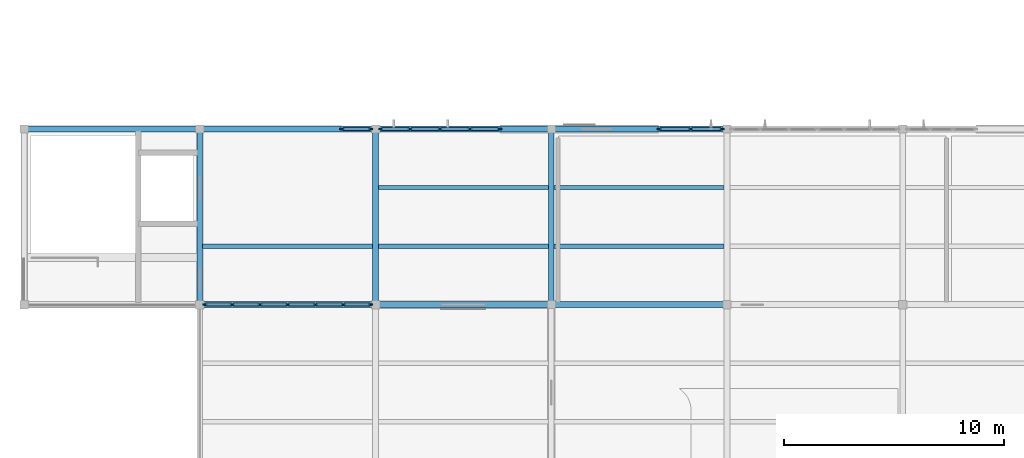
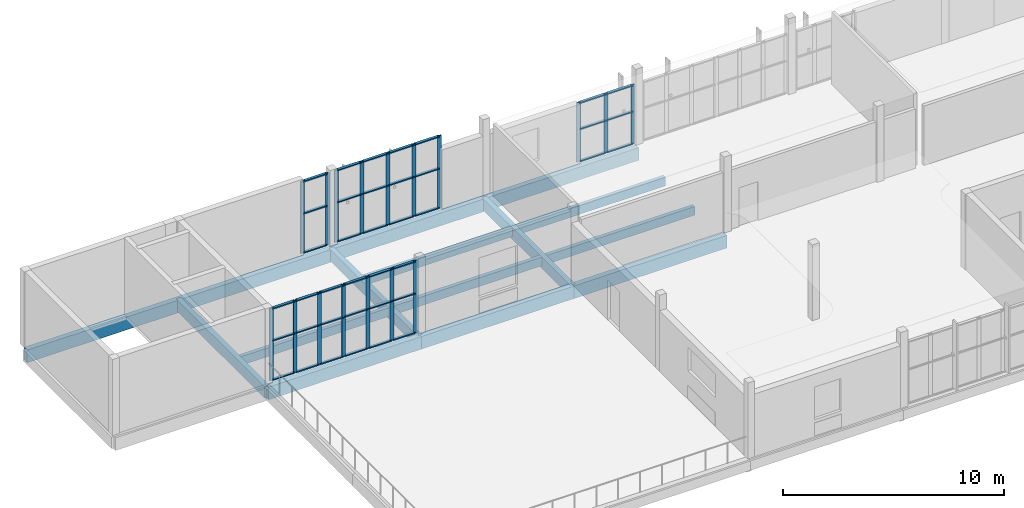
# One storey, part 2 of 15: 56 members, 15 beams, 4 elements without a shape of their own.
"""IFC4 building model written with IfcOpenShell, lengths in metres."""

from ifc_helpers import new_model, si_unit, direction, frame, origin, origin_2d, place, context, subcontext, project, spatial, rectangle, extrude, material, layer, layer_set, material_profile, profile_set, type_object, element, aggregate, save


model = new_model("IFC4")

# Units and contexts
model_context = context("Model", 3, precision=1e-05, world=origin(), true_north=direction((0.0, 1.0)))
body_context = subcontext(model_context, "Body", "Model", "MODEL_VIEW")
ifc_project = project(units=[si_unit("LENGTHUNIT", "METRE"), si_unit("AREAUNIT", "SQUARE_METRE"), si_unit("VOLUMEUNIT", "CUBIC_METRE"), si_unit("PLANEANGLEUNIT", "RADIAN"), si_unit("MASSUNIT", "GRAM", prefix="KILO")], contexts=[model_context])

# Site, building, storey
site_placement = place(None, origin())
site = spatial("IfcSite", under=ifc_project, at=site_placement, CompositionType="ELEMENT")
building_placement = place(site_placement, origin())
building = spatial("IfcBuilding", under=site, at=building_placement, Name="Solvane Community Centre", CompositionType="ELEMENT")
storey_placement = place(building_placement, frame((0.0, 0.0, 18.0)))
storey = spatial("IfcBuildingStorey", under=building, at=storey_placement, Name="L04", CompositionType="ELEMENT", Elevation=18.0)

# Curtain wall, members
ifc_material_1 = material(Name="Anodised bronze aluminium AW-6063 T6", Category="aluminium")
ifc_layer_1 = layer(ifc_material_1, 0.199951171875)
ifc_layer_set_1 = layer_set([ifc_layer_1], Name="Anodised bronze aluminium AW-6063 T6")
curtain_wall_type_1 = type_object("IfcCurtainWallType", Name="Courtyard Cloister Curtain Wall [76x40dm]", PredefinedType="NOTDEFINED", material=ifc_layer_set_1)
curtain_wall_1_placement = place(storey_placement, origin())
curtain_wall_1 = element("IfcCurtainWall", 1, at=curtain_wall_1_placement, inside=storey, type_object=curtain_wall_type_1, Name="Curtain Wall CW-L04-758_220-234", PredefinedType="NOTDEFINED")
ifc_material_profile_1 = material_profile(ifc_material_1, rectangle(XDim=0.06005859375, YDim=0.199951171875, at=origin_2d()), Name="CW-M 60x200")
ifc_profile_set_1 = profile_set([ifc_material_profile_1], Name="Anodised bronze aluminium AW-6063 T6")
member_type_1 = type_object("IfcMemberType", Name="Cloister Mullion 60x200", PredefinedType="MULLION", material=ifc_profile_set_1)
member_1_placement = place(storey_placement, frame((75.764892578125, 22.0, 0.0), z_axis=(0.0, 0.0, 1.0), x_axis=(0.0, -1.0, 0.0)))
member_1 = element("IfcMember", 2, at=member_1_placement, type_object=member_type_1, Name="CW03-76x40 mullion 1", PredefinedType="MULLION", context=body_context, shape_type="SweptSolid", body=[
    extrude(rectangle(XDim=0.06005859375, YDim=0.199951171875, at=origin_2d()), origin(), (0.0, 0.0, 1.0), 4.0),
])
member_2_placement = place(storey_placement, frame((74.530029296875, 22.0, 0.0), z_axis=(0.0, 0.0, 1.0), x_axis=(0.0, -1.0, 0.0)))
member_2 = element("IfcMember", 3, at=member_2_placement, type_object=member_type_1, Name="CW03-76x40 mullion 2", PredefinedType="MULLION", context=body_context, shape_type="SweptSolid", body=[
    extrude(rectangle(XDim=0.06005859375, YDim=0.199951171875, at=origin_2d()), origin(), (0.0, 0.0, 1.0), 4.0),
])
member_3_placement = place(storey_placement, frame((73.264892578125, 22.0, 0.0), z_axis=(0.0, 0.0, 1.0), x_axis=(0.0, -1.0, 0.0)))
member_3 = element("IfcMember", 4, at=member_3_placement, type_object=member_type_1, Name="CW03-76x40 mullion 3", PredefinedType="MULLION", context=body_context, shape_type="SweptSolid", body=[
    extrude(rectangle(XDim=0.06005859375, YDim=0.199951171875, at=origin_2d()), origin(), (0.0, 0.0, 1.0), 4.0),
])
member_4_placement = place(storey_placement, frame((72.0, 22.0, 0.0), z_axis=(0.0, 0.0, 1.0), x_axis=(0.0, -1.0, 0.0)))
member_4 = element("IfcMember", 5, at=member_4_placement, type_object=member_type_1, Name="CW03-76x40 mullion 4", PredefinedType="MULLION", context=body_context, shape_type="SweptSolid", body=[
    extrude(rectangle(XDim=0.06005859375, YDim=0.199951171875, at=origin_2d()), origin(), (0.0, 0.0, 1.0), 4.0),
])
member_5_placement = place(storey_placement, frame((70.735107421875, 22.0, 0.0), z_axis=(0.0, 0.0, 1.0), x_axis=(0.0, -1.0, 0.0)))
member_5 = element("IfcMember", 6, at=member_5_placement, type_object=member_type_1, Name="CW03-76x40 mullion 5", PredefinedType="MULLION", context=body_context, shape_type="SweptSolid", body=[
    extrude(rectangle(XDim=0.06005859375, YDim=0.199951171875, at=origin_2d()), origin(), (0.0, 0.0, 1.0), 4.0),
])
member_6_placement = place(storey_placement, frame((69.469970703125, 22.0, 0.0), z_axis=(0.0, 0.0, 1.0), x_axis=(0.0, -1.0, 0.0)))
member_6 = element("IfcMember", 7, at=member_6_placement, type_object=member_type_1, Name="CW03-76x40 mullion 6", PredefinedType="MULLION", context=body_context, shape_type="SweptSolid", body=[
    extrude(rectangle(XDim=0.06005859375, YDim=0.199951171875, at=origin_2d()), origin(), (0.0, 0.0, 1.0), 4.0),
])
member_7_placement = place(storey_placement, frame((68.235107421875, 22.0, 0.0), z_axis=(0.0, 0.0, 1.0), x_axis=(0.0, -1.0, 0.0)))
member_7 = element("IfcMember", 8, at=member_7_placement, type_object=member_type_1, Name="CW03-76x40 mullion 7", PredefinedType="MULLION", context=body_context, shape_type="SweptSolid", body=[
    extrude(rectangle(XDim=0.06005859375, YDim=0.199951171875, at=origin_2d()), origin(), (0.0, 0.0, 1.0), 4.0),
])

ifc_layer_2 = layer(ifc_material_1, 0.199951171875)
ifc_layer_set_2 = layer_set([ifc_layer_2], Name="Anodised bronze aluminium AW-6063 T6")
curtain_wall_type_2 = type_object("IfcCurtainWallType", Name="Courtyard Cloister Curtain Wall [14x40dm]", PredefinedType="NOTDEFINED", material=ifc_layer_set_2)
curtain_wall_2_placement = place(storey_placement, origin())
curtain_wall_2 = element("IfcCurtainWall", 9, at=curtain_wall_2_placement, inside=storey, type_object=curtain_wall_type_2, Name="Curtain Wall CW-L04-744_300-235", PredefinedType="NOTDEFINED")
member_8_placement = place(storey_placement, frame((74.474365234375, 30.0, 0.0), z_axis=(0.0, 0.0, 1.0), x_axis=(0.0, 1.0, 0.0)))
member_8 = element("IfcMember", 10, at=member_8_placement, type_object=member_type_1, Name="CW03-14x40 mullion 1", PredefinedType="MULLION", context=body_context, shape_type="SweptSolid", body=[
    extrude(rectangle(XDim=0.06005859375, YDim=0.199951171875, at=origin_2d()), origin(), (0.0, 0.0, 1.0), 4.0),
])
member_9_placement = place(storey_placement, frame((75.764892578125, 30.0, 0.0), z_axis=(0.0, 0.0, 1.0), x_axis=(0.0, 1.0, 0.0)))
member_9 = element("IfcMember", 11, at=member_9_placement, type_object=member_type_1, Name="CW03-14x40 mullion 2", PredefinedType="MULLION", context=body_context, shape_type="SweptSolid", body=[
    extrude(rectangle(XDim=0.06005859375, YDim=0.199951171875, at=origin_2d()), origin(), (0.0, 0.0, 1.0), 4.0),
])

ifc_layer_3 = layer(ifc_material_1, 0.199951171875)
ifc_layer_set_3 = layer_set([ifc_layer_3], Name="Anodised bronze aluminium AW-6063 T6")
curtain_wall_type_3 = type_object("IfcCurtainWallType", Name="Courtyard Cloister Curtain Wall [55x40dm]", PredefinedType="NOTDEFINED", material=ifc_layer_set_3)
curtain_wall_3_placement = place(storey_placement, origin())
curtain_wall_3 = element("IfcCurtainWall", 12, at=curtain_wall_3_placement, inside=storey, type_object=curtain_wall_type_3, Name="Curtain Wall CW-L04-762_300-236", PredefinedType="NOTDEFINED")
member_10_placement = place(storey_placement, frame((76.235107421875, 30.0, 0.0), z_axis=(0.0, 0.0, 1.0), x_axis=(0.0, 1.0, 0.0)))
member_10 = element("IfcMember", 13, at=member_10_placement, type_object=member_type_1, Name="CW03-55x40 mullion 1", PredefinedType="MULLION", context=body_context, shape_type="SweptSolid", body=[
    extrude(rectangle(XDim=0.06005859375, YDim=0.199951171875, at=origin_2d()), origin(), (0.0, 0.0, 1.0), 4.0),
])
member_11_placement = place(storey_placement, frame((77.5703125, 30.0, 0.0), z_axis=(0.0, 0.0, 1.0), x_axis=(0.0, 1.0, 0.0)))
member_11 = element("IfcMember", 14, at=member_11_placement, type_object=member_type_1, Name="CW03-55x40 mullion 2", PredefinedType="MULLION", context=body_context, shape_type="SweptSolid", body=[
    extrude(rectangle(XDim=0.06005859375, YDim=0.199951171875, at=origin_2d()), origin(), (0.0, 0.0, 1.0), 4.0),
])
member_12_placement = place(storey_placement, frame((78.935791015625, 30.0, 0.0), z_axis=(0.0, 0.0, 1.0), x_axis=(0.0, 1.0, 0.0)))
member_12 = element("IfcMember", 15, at=member_12_placement, type_object=member_type_1, Name="CW03-55x40 mullion 3", PredefinedType="MULLION", context=body_context, shape_type="SweptSolid", body=[
    extrude(rectangle(XDim=0.06005859375, YDim=0.199951171875, at=origin_2d()), origin(), (0.0, 0.0, 1.0), 4.0),
])
member_13_placement = place(storey_placement, frame((80.30126953125, 30.0, 0.0), z_axis=(0.0, 0.0, 1.0), x_axis=(0.0, 1.0, 0.0)))
member_13 = element("IfcMember", 16, at=member_13_placement, type_object=member_type_1, Name="CW03-55x40 mullion 4", PredefinedType="MULLION", context=body_context, shape_type="SweptSolid", body=[
    extrude(rectangle(XDim=0.06005859375, YDim=0.199951171875, at=origin_2d()), origin(), (0.0, 0.0, 1.0), 4.0),
])
member_14_placement = place(storey_placement, frame((81.63671875, 30.0, 0.0), z_axis=(0.0, 0.0, 1.0), x_axis=(0.0, 1.0, 0.0)))
member_14 = element("IfcMember", 17, at=member_14_placement, type_object=member_type_1, Name="CW03-55x40 mullion 5", PredefinedType="MULLION", context=body_context, shape_type="SweptSolid", body=[
    extrude(rectangle(XDim=0.06005859375, YDim=0.199951171875, at=origin_2d()), origin(), (0.0, 0.0, 1.0), 4.0),
])

ifc_layer_4 = layer(ifc_material_1, 0.199951171875)
ifc_layer_set_4 = layer_set([ifc_layer_4], Name="Anodised bronze aluminium AW-6063 T6")
curtain_wall_type_4 = type_object("IfcCurtainWallType", Name="Courtyard Cloister Curtain Wall [29x33dm]", PredefinedType="NOTDEFINED", material=ifc_layer_set_4)
curtain_wall_4_placement = place(storey_placement, origin())
curtain_wall_4 = element("IfcCurtainWall", 18, at=curtain_wall_4_placement, inside=storey, type_object=curtain_wall_type_4, Name="Curtain Wall CW-L04-889_300-237", PredefinedType="NOTDEFINED")
member_15_placement = place(storey_placement, frame((88.9189453125, 30.0, 0.0), z_axis=(0.0, 0.0, 1.0), x_axis=(0.0, 1.0, 0.0)))
member_15 = element("IfcMember", 19, at=member_15_placement, type_object=member_type_1, Name="CW03-29x33 mullion 1", PredefinedType="MULLION", context=body_context, shape_type="SweptSolid", body=[
    extrude(rectangle(XDim=0.06005859375, YDim=0.199951171875, at=origin_2d()), origin(), (0.0, 0.0, 1.0), 3.284912109375),
])
member_16_placement = place(storey_placement, frame((90.342041015625, 30.0, 0.0), z_axis=(0.0, 0.0, 1.0), x_axis=(0.0, 1.0, 0.0)))
member_16 = element("IfcMember", 20, at=member_16_placement, type_object=member_type_1, Name="CW03-29x33 mullion 2", PredefinedType="MULLION", context=body_context, shape_type="SweptSolid", body=[
    extrude(rectangle(XDim=0.06005859375, YDim=0.199951171875, at=origin_2d()), origin(), (0.0, 0.0, 1.0), 3.284912109375),
])
member_17_placement = place(storey_placement, frame((91.764892578125, 30.0, 0.0), z_axis=(0.0, 0.0, 1.0), x_axis=(0.0, 1.0, 0.0)))
member_17 = element("IfcMember", 21, at=member_17_placement, type_object=member_type_1, Name="CW03-29x33 mullion 3", PredefinedType="MULLION", context=body_context, shape_type="SweptSolid", body=[
    extrude(rectangle(XDim=0.06005859375, YDim=0.199951171875, at=origin_2d()), origin(), (0.0, 0.0, 1.0), 3.284912109375),
])

# Member
ifc_material_profile_2 = material_profile(ifc_material_1, rectangle(XDim=0.139892578125, YDim=0.06005859375, at=origin_2d()), Name="CW-T 60x140")
ifc_profile_set_2 = profile_set([ifc_material_profile_2], Name="Anodised bronze aluminium AW-6063 T6")
member_type_2 = type_object("IfcMemberType", Name="Cloister Transom 60x140", PredefinedType="USERDEFINED", material=ifc_profile_set_2)
member_18_placement = place(storey_placement, frame((75.735107421875, 22.0, 0.030029296875), z_axis=(-1.0, 0.0, 0.0), x_axis=(0.0, -1.0, 0.0)))
member_18 = element("IfcMember", 22, at=member_18_placement, type_object=member_type_2, Name="CW03-76x40 transom 1.1", ObjectType="TRANSOM", PredefinedType="USERDEFINED", context=body_context, shape_type="SweptSolid", body=[
    extrude(rectangle(XDim=0.139892578125, YDim=0.06005859375, at=origin_2d()), origin(), (0.0, 0.0, 1.0), 1.175048828125),
])

member_19_placement = place(storey_placement, frame((75.735107421875, 22.0, 2.199951171875), z_axis=(-1.0, 0.0, 0.0), x_axis=(0.0, -1.0, 0.0)))
member_19 = element("IfcMember", 23, at=member_19_placement, type_object=member_type_2, Name="CW03-76x40 transom 1.2", ObjectType="TRANSOM", PredefinedType="USERDEFINED", context=body_context, shape_type="SweptSolid", body=[
    extrude(rectangle(XDim=0.139892578125, YDim=0.06005859375, at=origin_2d()), origin(), (0.0, 0.0, 1.0), 1.175048828125),
])

member_20_placement = place(storey_placement, frame((75.735107421875, 22.0, 3.969970703125), z_axis=(-1.0, 0.0, 0.0), x_axis=(0.0, -1.0, 0.0)))
member_20 = element("IfcMember", 24, at=member_20_placement, type_object=member_type_2, Name="CW03-76x40 transom 1.3", ObjectType="TRANSOM", PredefinedType="USERDEFINED", context=body_context, shape_type="SweptSolid", body=[
    extrude(rectangle(XDim=0.139892578125, YDim=0.06005859375, at=origin_2d()), origin(), (0.0, 0.0, 1.0), 1.175048828125),
])

member_21_placement = place(storey_placement, frame((74.5, 22.0, 0.030029296875), z_axis=(-1.0, 0.0, 0.0), x_axis=(0.0, -1.0, 0.0)))
member_21 = element("IfcMember", 25, at=member_21_placement, type_object=member_type_2, Name="CW03-76x40 transom 2.1", ObjectType="TRANSOM", PredefinedType="USERDEFINED", context=body_context, shape_type="SweptSolid", body=[
    extrude(rectangle(XDim=0.139892578125, YDim=0.06005859375, at=origin_2d()), origin(), (0.0, 0.0, 1.0), 1.205078125),
])

member_22_placement = place(storey_placement, frame((74.5, 22.0, 2.199951171875), z_axis=(-1.0, 0.0, 0.0), x_axis=(0.0, -1.0, 0.0)))
member_22 = element("IfcMember", 26, at=member_22_placement, type_object=member_type_2, Name="CW03-76x40 transom 2.2", ObjectType="TRANSOM", PredefinedType="USERDEFINED", context=body_context, shape_type="SweptSolid", body=[
    extrude(rectangle(XDim=0.139892578125, YDim=0.06005859375, at=origin_2d()), origin(), (0.0, 0.0, 1.0), 1.205078125),
])

member_23_placement = place(storey_placement, frame((74.5, 22.0, 3.969970703125), z_axis=(-1.0, 0.0, 0.0), x_axis=(0.0, -1.0, 0.0)))
member_23 = element("IfcMember", 27, at=member_23_placement, type_object=member_type_2, Name="CW03-76x40 transom 2.3", ObjectType="TRANSOM", PredefinedType="USERDEFINED", context=body_context, shape_type="SweptSolid", body=[
    extrude(rectangle(XDim=0.139892578125, YDim=0.06005859375, at=origin_2d()), origin(), (0.0, 0.0, 1.0), 1.205078125),
])

member_24_placement = place(storey_placement, frame((73.235107421875, 22.0, 0.030029296875), z_axis=(-1.0, 0.0, 0.0), x_axis=(0.0, -1.0, 0.0)))
member_24 = element("IfcMember", 28, at=member_24_placement, type_object=member_type_2, Name="CW03-76x40 transom 3.1", ObjectType="TRANSOM", PredefinedType="USERDEFINED", context=body_context, shape_type="SweptSolid", body=[
    extrude(rectangle(XDim=0.139892578125, YDim=0.06005859375, at=origin_2d()), origin(), (0.0, 0.0, 1.0), 1.205078125),
])

member_25_placement = place(storey_placement, frame((73.235107421875, 22.0, 2.199951171875), z_axis=(-1.0, 0.0, 0.0), x_axis=(0.0, -1.0, 0.0)))
member_25 = element("IfcMember", 29, at=member_25_placement, type_object=member_type_2, Name="CW03-76x40 transom 3.2", ObjectType="TRANSOM", PredefinedType="USERDEFINED", context=body_context, shape_type="SweptSolid", body=[
    extrude(rectangle(XDim=0.139892578125, YDim=0.06005859375, at=origin_2d()), origin(), (0.0, 0.0, 1.0), 1.205078125),
])

member_26_placement = place(storey_placement, frame((73.235107421875, 22.0, 3.969970703125), z_axis=(-1.0, 0.0, 0.0), x_axis=(0.0, -1.0, 0.0)))
member_26 = element("IfcMember", 30, at=member_26_placement, type_object=member_type_2, Name="CW03-76x40 transom 3.3", ObjectType="TRANSOM", PredefinedType="USERDEFINED", context=body_context, shape_type="SweptSolid", body=[
    extrude(rectangle(XDim=0.139892578125, YDim=0.06005859375, at=origin_2d()), origin(), (0.0, 0.0, 1.0), 1.205078125),
])

member_27_placement = place(storey_placement, frame((71.969970703125, 22.0, 0.030029296875), z_axis=(-1.0, 0.0, 0.0), x_axis=(0.0, -1.0, 0.0)))
member_27 = element("IfcMember", 31, at=member_27_placement, type_object=member_type_2, Name="CW03-76x40 transom 4.1", ObjectType="TRANSOM", PredefinedType="USERDEFINED", context=body_context, shape_type="SweptSolid", body=[
    extrude(rectangle(XDim=0.139892578125, YDim=0.06005859375, at=origin_2d()), origin(), (0.0, 0.0, 1.0), 1.205078125),
])

member_28_placement = place(storey_placement, frame((71.969970703125, 22.0, 2.199951171875), z_axis=(-1.0, 0.0, 0.0), x_axis=(0.0, -1.0, 0.0)))
member_28 = element("IfcMember", 32, at=member_28_placement, type_object=member_type_2, Name="CW03-76x40 transom 4.2", ObjectType="TRANSOM", PredefinedType="USERDEFINED", context=body_context, shape_type="SweptSolid", body=[
    extrude(rectangle(XDim=0.139892578125, YDim=0.06005859375, at=origin_2d()), origin(), (0.0, 0.0, 1.0), 1.205078125),
])

member_29_placement = place(storey_placement, frame((71.969970703125, 22.0, 3.969970703125), z_axis=(-1.0, 0.0, 0.0), x_axis=(0.0, -1.0, 0.0)))
member_29 = element("IfcMember", 33, at=member_29_placement, type_object=member_type_2, Name="CW03-76x40 transom 4.3", ObjectType="TRANSOM", PredefinedType="USERDEFINED", context=body_context, shape_type="SweptSolid", body=[
    extrude(rectangle(XDim=0.139892578125, YDim=0.06005859375, at=origin_2d()), origin(), (0.0, 0.0, 1.0), 1.205078125),
])

member_30_placement = place(storey_placement, frame((70.705078125, 22.0, 0.030029296875), z_axis=(-1.0, 0.0, 0.0), x_axis=(0.0, -1.0, 0.0)))
member_30 = element("IfcMember", 34, at=member_30_placement, type_object=member_type_2, Name="CW03-76x40 transom 5.1", ObjectType="TRANSOM", PredefinedType="USERDEFINED", context=body_context, shape_type="SweptSolid", body=[
    extrude(rectangle(XDim=0.139892578125, YDim=0.06005859375, at=origin_2d()), origin(), (0.0, 0.0, 1.0), 1.205078125),
])

member_31_placement = place(storey_placement, frame((70.705078125, 22.0, 2.199951171875), z_axis=(-1.0, 0.0, 0.0), x_axis=(0.0, -1.0, 0.0)))
member_31 = element("IfcMember", 35, at=member_31_placement, type_object=member_type_2, Name="CW03-76x40 transom 5.2", ObjectType="TRANSOM", PredefinedType="USERDEFINED", context=body_context, shape_type="SweptSolid", body=[
    extrude(rectangle(XDim=0.139892578125, YDim=0.06005859375, at=origin_2d()), origin(), (0.0, 0.0, 1.0), 1.205078125),
])

member_32_placement = place(storey_placement, frame((70.705078125, 22.0, 3.969970703125), z_axis=(-1.0, 0.0, 0.0), x_axis=(0.0, -1.0, 0.0)))
member_32 = element("IfcMember", 36, at=member_32_placement, type_object=member_type_2, Name="CW03-76x40 transom 5.3", ObjectType="TRANSOM", PredefinedType="USERDEFINED", context=body_context, shape_type="SweptSolid", body=[
    extrude(rectangle(XDim=0.139892578125, YDim=0.06005859375, at=origin_2d()), origin(), (0.0, 0.0, 1.0), 1.205078125),
])

member_33_placement = place(storey_placement, frame((69.43994140625, 22.0, 0.030029296875), z_axis=(-1.0, 0.0, 0.0), x_axis=(0.0, -1.0, 0.0)))
member_33 = element("IfcMember", 37, at=member_33_placement, type_object=member_type_2, Name="CW03-76x40 transom 6.1", ObjectType="TRANSOM", PredefinedType="USERDEFINED", context=body_context, shape_type="SweptSolid", body=[
    extrude(rectangle(XDim=0.139892578125, YDim=0.06005859375, at=origin_2d()), origin(), (0.0, 0.0, 1.0), 1.175048828125),
])

member_34_placement = place(storey_placement, frame((69.43994140625, 22.0, 2.199951171875), z_axis=(-1.0, 0.0, 0.0), x_axis=(0.0, -1.0, 0.0)))
member_34 = element("IfcMember", 38, at=member_34_placement, type_object=member_type_2, Name="CW03-76x40 transom 6.2", ObjectType="TRANSOM", PredefinedType="USERDEFINED", context=body_context, shape_type="SweptSolid", body=[
    extrude(rectangle(XDim=0.139892578125, YDim=0.06005859375, at=origin_2d()), origin(), (0.0, 0.0, 1.0), 1.175048828125),
])

member_35_placement = place(storey_placement, frame((69.43994140625, 22.0, 3.969970703125), z_axis=(-1.0, 0.0, 0.0), x_axis=(0.0, -1.0, 0.0)))
member_35 = element("IfcMember", 39, at=member_35_placement, type_object=member_type_2, Name="CW03-76x40 transom 6.3", ObjectType="TRANSOM", PredefinedType="USERDEFINED", context=body_context, shape_type="SweptSolid", body=[
    extrude(rectangle(XDim=0.139892578125, YDim=0.06005859375, at=origin_2d()), origin(), (0.0, 0.0, 1.0), 1.175048828125),
])

aggregate(curtain_wall_1, [member_1, member_2, member_3, member_4, member_5, member_6, member_7, member_18, member_19, member_20, member_21, member_22, member_23, member_24, member_25, member_26, member_27, member_28, member_29, member_30, member_31, member_32, member_33, member_34, member_35])

member_36_placement = place(storey_placement, frame((74.50439453125, 30.0, 0.030029296875), z_axis=(1.0, 0.0, 0.0), x_axis=(0.0, 1.0, 0.0)))
member_36 = element("IfcMember", 40, at=member_36_placement, type_object=member_type_2, Name="CW03-14x40 transom 1.1", ObjectType="TRANSOM", PredefinedType="USERDEFINED", context=body_context, shape_type="SweptSolid", body=[
    extrude(rectangle(XDim=0.139892578125, YDim=0.06005859375, at=origin_2d()), origin(), (0.0, 0.0, 1.0), 1.230712890625),
])

member_37_placement = place(storey_placement, frame((74.50439453125, 30.0, 2.199951171875), z_axis=(1.0, 0.0, 0.0), x_axis=(0.0, 1.0, 0.0)))
member_37 = element("IfcMember", 41, at=member_37_placement, type_object=member_type_2, Name="CW03-14x40 transom 1.2", ObjectType="TRANSOM", PredefinedType="USERDEFINED", context=body_context, shape_type="SweptSolid", body=[
    extrude(rectangle(XDim=0.139892578125, YDim=0.06005859375, at=origin_2d()), origin(), (0.0, 0.0, 1.0), 1.230712890625),
])

member_38_placement = place(storey_placement, frame((74.50439453125, 30.0, 3.969970703125), z_axis=(1.0, 0.0, 0.0), x_axis=(0.0, 1.0, 0.0)))
member_38 = element("IfcMember", 42, at=member_38_placement, type_object=member_type_2, Name="CW03-14x40 transom 1.3", ObjectType="TRANSOM", PredefinedType="USERDEFINED", context=body_context, shape_type="SweptSolid", body=[
    extrude(rectangle(XDim=0.139892578125, YDim=0.06005859375, at=origin_2d()), origin(), (0.0, 0.0, 1.0), 1.230712890625),
])

aggregate(curtain_wall_2, [member_8, member_9, member_36, member_37, member_38])

member_39_placement = place(storey_placement, frame((76.264892578125, 30.0, 0.030029296875), z_axis=(1.0, 0.0, 0.0), x_axis=(0.0, 1.0, 0.0)))
member_39 = element("IfcMember", 43, at=member_39_placement, type_object=member_type_2, Name="CW03-55x40 transom 1.1", ObjectType="TRANSOM", PredefinedType="USERDEFINED", context=body_context, shape_type="SweptSolid", body=[
    extrude(rectangle(XDim=0.139892578125, YDim=0.06005859375, at=origin_2d()), origin(), (0.0, 0.0, 1.0), 1.275634765625),
])

member_40_placement = place(storey_placement, frame((76.264892578125, 30.0, 2.199951171875), z_axis=(1.0, 0.0, 0.0), x_axis=(0.0, 1.0, 0.0)))
member_40 = element("IfcMember", 44, at=member_40_placement, type_object=member_type_2, Name="CW03-55x40 transom 1.2", ObjectType="TRANSOM", PredefinedType="USERDEFINED", context=body_context, shape_type="SweptSolid", body=[
    extrude(rectangle(XDim=0.139892578125, YDim=0.06005859375, at=origin_2d()), origin(), (0.0, 0.0, 1.0), 1.275634765625),
])

member_41_placement = place(storey_placement, frame((76.264892578125, 30.0, 3.969970703125), z_axis=(1.0, 0.0, 0.0), x_axis=(0.0, 1.0, 0.0)))
member_41 = element("IfcMember", 45, at=member_41_placement, type_object=member_type_2, Name="CW03-55x40 transom 1.3", ObjectType="TRANSOM", PredefinedType="USERDEFINED", context=body_context, shape_type="SweptSolid", body=[
    extrude(rectangle(XDim=0.139892578125, YDim=0.06005859375, at=origin_2d()), origin(), (0.0, 0.0, 1.0), 1.275634765625),
])

member_42_placement = place(storey_placement, frame((77.600341796875, 30.0, 0.030029296875), z_axis=(1.0, 0.0, 0.0), x_axis=(0.0, 1.0, 0.0)))
member_42 = element("IfcMember", 46, at=member_42_placement, type_object=member_type_2, Name="CW03-55x40 transom 2.1", ObjectType="TRANSOM", PredefinedType="USERDEFINED", context=body_context, shape_type="SweptSolid", body=[
    extrude(rectangle(XDim=0.139892578125, YDim=0.06005859375, at=origin_2d()), origin(), (0.0, 0.0, 1.0), 1.305419921875),
])

member_43_placement = place(storey_placement, frame((77.600341796875, 30.0, 2.199951171875), z_axis=(1.0, 0.0, 0.0), x_axis=(0.0, 1.0, 0.0)))
member_43 = element("IfcMember", 47, at=member_43_placement, type_object=member_type_2, Name="CW03-55x40 transom 2.2", ObjectType="TRANSOM", PredefinedType="USERDEFINED", context=body_context, shape_type="SweptSolid", body=[
    extrude(rectangle(XDim=0.139892578125, YDim=0.06005859375, at=origin_2d()), origin(), (0.0, 0.0, 1.0), 1.305419921875),
])

member_44_placement = place(storey_placement, frame((77.600341796875, 30.0, 3.969970703125), z_axis=(1.0, 0.0, 0.0), x_axis=(0.0, 1.0, 0.0)))
member_44 = element("IfcMember", 48, at=member_44_placement, type_object=member_type_2, Name="CW03-55x40 transom 2.3", ObjectType="TRANSOM", PredefinedType="USERDEFINED", context=body_context, shape_type="SweptSolid", body=[
    extrude(rectangle(XDim=0.139892578125, YDim=0.06005859375, at=origin_2d()), origin(), (0.0, 0.0, 1.0), 1.305419921875),
])

member_45_placement = place(storey_placement, frame((78.9658203125, 30.0, 0.030029296875), z_axis=(1.0, 0.0, 0.0), x_axis=(0.0, 1.0, 0.0)))
member_45 = element("IfcMember", 49, at=member_45_placement, type_object=member_type_2, Name="CW03-55x40 transom 3.1", ObjectType="TRANSOM", PredefinedType="USERDEFINED", context=body_context, shape_type="SweptSolid", body=[
    extrude(rectangle(XDim=0.139892578125, YDim=0.06005859375, at=origin_2d()), origin(), (0.0, 0.0, 1.0), 1.305419921875),
])

member_46_placement = place(storey_placement, frame((78.9658203125, 30.0, 2.199951171875), z_axis=(1.0, 0.0, 0.0), x_axis=(0.0, 1.0, 0.0)))
member_46 = element("IfcMember", 50, at=member_46_placement, type_object=member_type_2, Name="CW03-55x40 transom 3.2", ObjectType="TRANSOM", PredefinedType="USERDEFINED", context=body_context, shape_type="SweptSolid", body=[
    extrude(rectangle(XDim=0.139892578125, YDim=0.06005859375, at=origin_2d()), origin(), (0.0, 0.0, 1.0), 1.305419921875),
])

member_47_placement = place(storey_placement, frame((78.9658203125, 30.0, 3.969970703125), z_axis=(1.0, 0.0, 0.0), x_axis=(0.0, 1.0, 0.0)))
member_47 = element("IfcMember", 51, at=member_47_placement, type_object=member_type_2, Name="CW03-55x40 transom 3.3", ObjectType="TRANSOM", PredefinedType="USERDEFINED", context=body_context, shape_type="SweptSolid", body=[
    extrude(rectangle(XDim=0.139892578125, YDim=0.06005859375, at=origin_2d()), origin(), (0.0, 0.0, 1.0), 1.305419921875),
])

member_48_placement = place(storey_placement, frame((80.331298828125, 30.0, 0.030029296875), z_axis=(1.0, 0.0, 0.0), x_axis=(0.0, 1.0, 0.0)))
member_48 = element("IfcMember", 52, at=member_48_placement, type_object=member_type_2, Name="CW03-55x40 transom 4.1", ObjectType="TRANSOM", PredefinedType="USERDEFINED", context=body_context, shape_type="SweptSolid", body=[
    extrude(rectangle(XDim=0.139892578125, YDim=0.06005859375, at=origin_2d()), origin(), (0.0, 0.0, 1.0), 1.275390625),
])

member_49_placement = place(storey_placement, frame((80.331298828125, 30.0, 2.199951171875), z_axis=(1.0, 0.0, 0.0), x_axis=(0.0, 1.0, 0.0)))
member_49 = element("IfcMember", 53, at=member_49_placement, type_object=member_type_2, Name="CW03-55x40 transom 4.2", ObjectType="TRANSOM", PredefinedType="USERDEFINED", context=body_context, shape_type="SweptSolid", body=[
    extrude(rectangle(XDim=0.139892578125, YDim=0.06005859375, at=origin_2d()), origin(), (0.0, 0.0, 1.0), 1.275390625),
])

member_50_placement = place(storey_placement, frame((80.331298828125, 30.0, 3.969970703125), z_axis=(1.0, 0.0, 0.0), x_axis=(0.0, 1.0, 0.0)))
member_50 = element("IfcMember", 54, at=member_50_placement, type_object=member_type_2, Name="CW03-55x40 transom 4.3", ObjectType="TRANSOM", PredefinedType="USERDEFINED", context=body_context, shape_type="SweptSolid", body=[
    extrude(rectangle(XDim=0.139892578125, YDim=0.06005859375, at=origin_2d()), origin(), (0.0, 0.0, 1.0), 1.275390625),
])

aggregate(curtain_wall_3, [member_10, member_11, member_12, member_13, member_14, member_39, member_40, member_41, member_42, member_43, member_44, member_45, member_46, member_47, member_48, member_49, member_50])

member_51_placement = place(storey_placement, frame((88.948974609375, 30.0, 0.030029296875), z_axis=(1.0, 0.0, 0.0), x_axis=(0.0, 1.0, 0.0)))
member_51 = element("IfcMember", 55, at=member_51_placement, type_object=member_type_2, Name="CW03-29x33 transom 1.1", ObjectType="TRANSOM", PredefinedType="USERDEFINED", context=body_context, shape_type="SweptSolid", body=[
    extrude(rectangle(XDim=0.139892578125, YDim=0.06005859375, at=origin_2d()), origin(), (0.0, 0.0, 1.0), 1.363037109375),
])

member_52_placement = place(storey_placement, frame((88.948974609375, 30.0, 1.806884765625), z_axis=(1.0, 0.0, 0.0), x_axis=(0.0, 1.0, 0.0)))
member_52 = element("IfcMember", 56, at=member_52_placement, type_object=member_type_2, Name="CW03-29x33 transom 1.2", ObjectType="TRANSOM", PredefinedType="USERDEFINED", context=body_context, shape_type="SweptSolid", body=[
    extrude(rectangle(XDim=0.139892578125, YDim=0.06005859375, at=origin_2d()), origin(), (0.0, 0.0, 1.0), 1.363037109375),
])

member_53_placement = place(storey_placement, frame((88.948974609375, 30.0, 3.2548828125), z_axis=(1.0, 0.0, 0.0), x_axis=(0.0, 1.0, 0.0)))
member_53 = element("IfcMember", 57, at=member_53_placement, type_object=member_type_2, Name="CW03-29x33 transom 1.3", ObjectType="TRANSOM", PredefinedType="USERDEFINED", context=body_context, shape_type="SweptSolid", body=[
    extrude(rectangle(XDim=0.139892578125, YDim=0.06005859375, at=origin_2d()), origin(), (0.0, 0.0, 1.0), 1.363037109375),
])

member_54_placement = place(storey_placement, frame((90.3720703125, 30.0, 0.030029296875), z_axis=(1.0, 0.0, 0.0), x_axis=(0.0, 1.0, 0.0)))
member_54 = element("IfcMember", 58, at=member_54_placement, type_object=member_type_2, Name="CW03-29x33 transom 2.1", ObjectType="TRANSOM", PredefinedType="USERDEFINED", context=body_context, shape_type="SweptSolid", body=[
    extrude(rectangle(XDim=0.139892578125, YDim=0.06005859375, at=origin_2d()), origin(), (0.0, 0.0, 1.0), 1.363037109375),
])

member_55_placement = place(storey_placement, frame((90.3720703125, 30.0, 1.806884765625), z_axis=(1.0, 0.0, 0.0), x_axis=(0.0, 1.0, 0.0)))
member_55 = element("IfcMember", 59, at=member_55_placement, type_object=member_type_2, Name="CW03-29x33 transom 2.2", ObjectType="TRANSOM", PredefinedType="USERDEFINED", context=body_context, shape_type="SweptSolid", body=[
    extrude(rectangle(XDim=0.139892578125, YDim=0.06005859375, at=origin_2d()), origin(), (0.0, 0.0, 1.0), 1.363037109375),
])

member_56_placement = place(storey_placement, frame((90.3720703125, 30.0, 3.2548828125), z_axis=(1.0, 0.0, 0.0), x_axis=(0.0, 1.0, 0.0)))
member_56 = element("IfcMember", 60, at=member_56_placement, type_object=member_type_2, Name="CW03-29x33 transom 2.3", ObjectType="TRANSOM", PredefinedType="USERDEFINED", context=body_context, shape_type="SweptSolid", body=[
    extrude(rectangle(XDim=0.139892578125, YDim=0.06005859375, at=origin_2d()), origin(), (0.0, 0.0, 1.0), 1.363037109375),
])

aggregate(curtain_wall_4, [member_15, member_16, member_17, member_51, member_52, member_53, member_54, member_55, member_56])

# Beams
ifc_material_2 = material(Name="Glulam GL28h", Category="wood")
ifc_material_profile_3 = material_profile(ifc_material_2, rectangle(XDim=0.27001953125, YDim=0.699951171875, at=origin_2d()), Name="GL28h 270x700")
ifc_profile_set_3 = profile_set([ifc_material_profile_3], Name="Glulam GL28h")
beam_type_1 = type_object("IfcBeamType", Name="Glulam Library Girder 270x700", PredefinedType="USERDEFINED", material=ifc_profile_set_3)
for number, where, z_axis, x_axis, name in (
    (61, (68.0, 22.0, -0.570068359375), (1.0, 0.0, 0.0), (0.0, 1.0, 0.0), "Beam BM-L04-680_220-760_220"),
    (62, (76.0, 22.0, -0.570068359375), (1.0, 0.0, 0.0), (0.0, 1.0, 0.0), "Beam BM-L04-760_220-840_220"),
    (63, (84.0, 22.0, -0.570068359375), (1.0, 0.0, 0.0), (0.0, 1.0, 0.0), "Beam BM-L04-840_220-920_220"),
    (64, (60.0, 30.0, -0.570068359375), (1.0, 0.0, 0.0), (0.0, 1.0, 0.0), "Beam BM-L04-600_300-680_300"),
    (65, (68.0, 30.0, -0.570068359375), (1.0, 0.0, 0.0), (0.0, 1.0, 0.0), "Beam BM-L04-680_300-760_300"),
    (66, (76.0, 30.0, -0.570068359375), (1.0, 0.0, 0.0), (0.0, 1.0, 0.0), "Beam BM-L04-760_300-840_300"),
    (67, (84.0, 30.0, -0.570068359375), (1.0, 0.0, 0.0), (0.0, 1.0, 0.0), "Beam BM-L04-840_300-920_300"),
):
    element("IfcBeam", number, at=place(storey_placement, frame(where, z_axis=z_axis, x_axis=x_axis)), inside=storey, type_object=beam_type_1, Name=name, ObjectType="GIRDER", PredefinedType="USERDEFINED", context=body_context, shape_type="SweptSolid", body=[
        extrude(rectangle(XDim=0.27001953125, YDim=0.699951171875, at=origin_2d()), origin(), (0.0, 0.0, 1.0), 8.0),
    ])
ifc_material_profile_4 = material_profile(ifc_material_2, rectangle(XDim=0.199951171875, YDim=0.47998046875, at=origin_2d()), Name="GL28h 200x480")
ifc_profile_set_4 = profile_set([ifc_material_profile_4], Name="Glulam GL28h")
beam_type_2 = type_object("IfcBeamType", Name="Glulam Medium Joist 200x480", PredefinedType="JOIST", material=ifc_profile_set_4)
for number, where, z_axis, x_axis, name in (
    (68, (68.1298828125, 24.666748046875, -0.4599609375), (1.0, 0.0, 0.0), (0.0, 1.0, 0.0), "Beam BM-L04-681_247-759_247"),
    (69, (76.1298828125, 24.666748046875, -0.4599609375), (1.0, 0.0, 0.0), (0.0, 1.0, 0.0), "Beam BM-L04-761_247-839_247"),
    (70, (76.1298828125, 27.333251953125, -0.4599609375), (1.0, 0.0, 0.0), (0.0, 1.0, 0.0), "Beam BM-L04-761_273-839_273"),
    (71, (84.1298828125, 24.666748046875, -0.4599609375), (1.0, 0.0, 0.0), (0.0, 1.0, 0.0), "Beam BM-L04-841_247-919_247"),
    (72, (84.1298828125, 27.333251953125, -0.4599609375), (1.0, 0.0, 0.0), (0.0, 1.0, 0.0), "Beam BM-L04-841_273-919_273"),
):
    element("IfcBeam", number, at=place(storey_placement, frame(where, z_axis=z_axis, x_axis=x_axis)), inside=storey, type_object=beam_type_2, Name=name, PredefinedType="JOIST", context=body_context, shape_type="SweptSolid", body=[
        extrude(rectangle(XDim=0.199951171875, YDim=0.47998046875, at=origin_2d()), origin(), (0.0, 0.0, 1.0), 7.740234375),
    ])
ifc_material_profile_5 = material_profile(ifc_material_2, rectangle(XDim=0.260009765625, YDim=0.639892578125, at=origin_2d()), Name="GL28h 260x640")
ifc_profile_set_5 = profile_set([ifc_material_profile_5], Name="Glulam GL28h")
beam_type_3 = type_object("IfcBeamType", Name="Glulam Studio Beam 260x640", PredefinedType="BEAM", material=ifc_profile_set_5)
for number, where, z_axis, x_axis, name in (
    (73, (68.0, 22.0, -0.5400390625), (0.0, 1.0, 0.0), (-1.0, 0.0, 0.0), "Beam BM-L04-680_220-680_300"),
    (74, (76.0, 22.0, -0.5400390625), (0.0, 1.0, 0.0), (-1.0, 0.0, 0.0), "Beam BM-L04-760_220-760_300"),
    (75, (84.0, 22.0, -0.5400390625), (0.0, 1.0, 0.0), (-1.0, 0.0, 0.0), "Beam BM-L04-840_220-840_300"),
):
    element("IfcBeam", number, at=place(storey_placement, frame(where, z_axis=z_axis, x_axis=x_axis)), inside=storey, type_object=beam_type_3, Name=name, PredefinedType="BEAM", context=body_context, shape_type="SweptSolid", body=[
        extrude(rectangle(XDim=0.260009765625, YDim=0.639892578125, at=origin_2d()), origin(), (0.0, 0.0, 1.0), 8.0),
    ])

save(model, "model.ifc")
